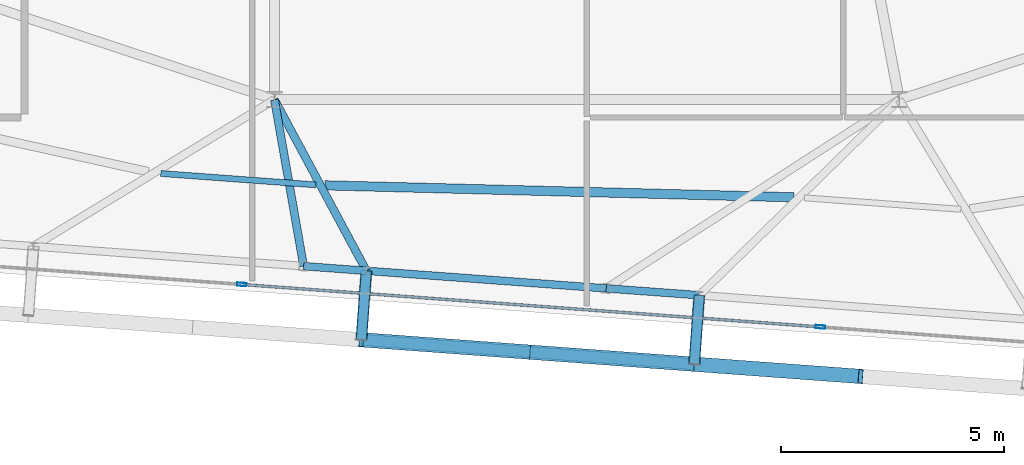
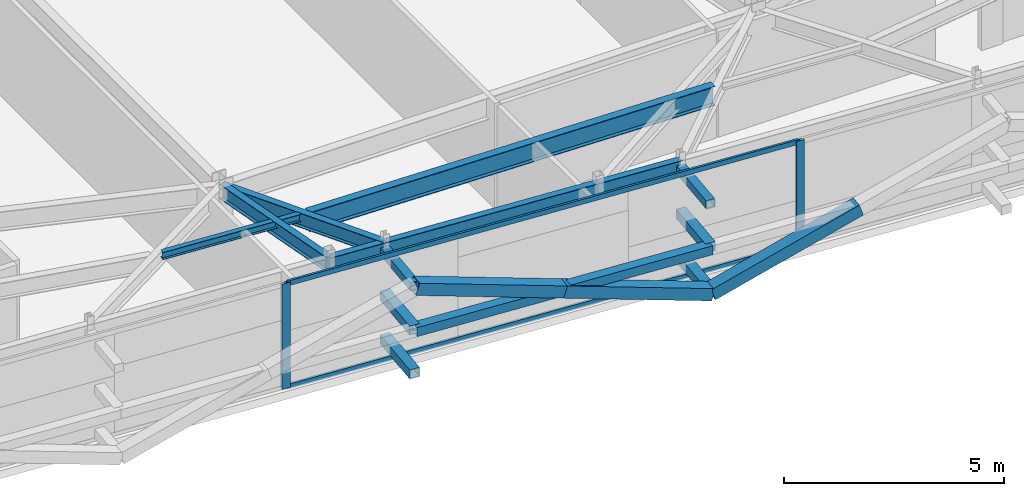
# One storey, part 11 of 34: 14 members, 7 beams, 1 element without a shape of its own.
"""IFC4 building model written with IfcOpenShell, lengths in metres."""

from ifc_helpers import new_model, si_unit, direction, frame, origin, origin_2d, place, context, subcontext, project, spatial, hollow_rectangle, i_section, extrude, source, transform, mapped, material, layer, layer_set, material_profile, profile_set, type_object, element, aggregate, save


model = new_model("IFC4")

# Units and contexts
model_context = context("Model", 3, precision=1e-05, world=origin(), true_north=direction((0.0, 1.0)))
body_context = subcontext(model_context, "Body", "Model", "MODEL_VIEW")
ifc_project = project(units=[si_unit("LENGTHUNIT", "METRE"), si_unit("AREAUNIT", "SQUARE_METRE"), si_unit("VOLUMEUNIT", "CUBIC_METRE"), si_unit("PLANEANGLEUNIT", "RADIAN"), si_unit("MASSUNIT", "GRAM", prefix="KILO")], contexts=[model_context])

# Site, building, storey
site_placement = place(None, origin())
site = spatial("IfcSite", under=ifc_project, at=site_placement, CompositionType="ELEMENT")
building_placement = place(site_placement, origin())
building = spatial("IfcBuilding", under=site, at=building_placement, Name="Taldren Reach Tower", CompositionType="ELEMENT")
storey_placement = place(building_placement, frame((0.0, 0.0, 246.050048828125)))
storey = spatial("IfcBuildingStorey", under=building, at=storey_placement, Name="L75", CompositionType="ELEMENT", Elevation=246.050048828125)

# Members
ifc_material_1 = material(Name="Steel Gr 350 (C350L0)", Category="steel")
ifc_material_profile_1 = material_profile(ifc_material_1, hollow_rectangle(XDim=0.25, YDim=0.25, WallThickness=0.010009765625, at=origin_2d()), Name="250x250x10.0SHS")
ifc_profile_set_1 = profile_set([ifc_material_profile_1], Name="Steel Gr 350 (C350L0)")
member_type_1 = type_object("IfcMemberType", Name="MB-POST250", PredefinedType="POST", material=ifc_profile_set_1)
shared_shape_1 = source(origin(), body_context, "Body", "SweptSolid", [
    extrude(hollow_rectangle(XDim=0.25, YDim=0.25, WallThickness=0.010009765625, at=origin_2d()), origin(), (0.0, 0.0, 1.0), 1.5498046875),
])
for number, where, z_axis, x_axis, name in (
    (1, (30.060546875, 5.364501953125, 0.219970703125), (-0.073250797913, -0.997313551801, 0.0), (0.997313551801, -0.073250797913, 0.0), "Exoskeleton base diaphragm tie strut B5-S3 L75"),
    (2, (30.060546875, 5.364501953125, 1.43505859375), (-0.073250797913, -0.997313551801, 0.0), (0.997313551801, -0.073250797913, 0.0), "Exoskeleton mid-tier diaphragm tie B5-S3 L75"),
):
    element("IfcMember", number, at=place(storey_placement, frame(where, z_axis=z_axis, x_axis=x_axis)), inside=storey, type_object=member_type_1, Name=name, PredefinedType="POST", context=body_context, shape_type="MappedRepresentation", body=[
        mapped(shared_shape_1, transform((0.0, 0.0, 0.0), scale=1.0)),
    ])
shared_shape_2 = source(origin(), body_context, "Body", "SweptSolid", [
    extrude(hollow_rectangle(XDim=0.25, YDim=0.25, WallThickness=0.010009765625, at=origin_2d()), origin(), (0.0, 0.0, 1.0), 1.550048828125),
])
for number, where, z_axis, x_axis, name in (
    (3, (37.5205078125, 4.81689453125, 0.219970703125), (-0.07323929162, -0.997314396849, 0.0), (0.997314396849, -0.07323929162, 0.0), "Exoskeleton base diaphragm tie strut B5-S4 L75"),
    (4, (37.5205078125, 4.81689453125, 1.43505859375), (-0.07323929162, -0.997314396849, 0.0), (0.997314396849, -0.07323929162, 0.0), "Exoskeleton mid-tier diaphragm tie B5-S4 L75"),
):
    element("IfcMember", number, at=place(storey_placement, frame(where, z_axis=z_axis, x_axis=x_axis)), inside=storey, type_object=member_type_1, Name=name, PredefinedType="POST", context=body_context, shape_type="MappedRepresentation", body=[
        mapped(shared_shape_2, transform((0.0, 0.0, 0.0), scale=1.0)),
    ])
ifc_material_2 = material(Name="Steel Gr 450 (C450L0)", Category="steel")
ifc_material_profile_2 = material_profile(ifc_material_2, hollow_rectangle(XDim=0.219970703125, YDim=0.219970703125, WallThickness=0.00830078125, at=origin_2d()), Name="220x220x8.2SHS")
ifc_profile_set_2 = profile_set([ifc_material_profile_2], Name="Steel Gr 450 (C450L0)")
member_type_2 = type_object("IfcMemberType", Name="MB-TIE219", PredefinedType="STRUT", material=ifc_profile_set_2)
shared_shape_3 = source(origin(), body_context, "Body", "SweptSolid", [
    extrude(hollow_rectangle(XDim=0.219970703125, YDim=0.219970703125, WallThickness=0.00830078125, at=origin_2d()), origin(), (0.0, 0.0, 1.0), 1.5498046875),
])
member_1_placement = place(storey_placement, frame((30.060546875, 5.364501953125, 2.64990234375), z_axis=(-0.073250797913, -0.997313551801, 0.0), x_axis=(0.997313551801, -0.073250797913, 0.0)))
element("IfcMember", 5, at=member_1_placement, inside=storey, type_object=member_type_2, Name="Exoskeleton diaphragm tie strut B5-S3 L75", PredefinedType="STRUT", context=body_context, shape_type="MappedRepresentation", body=[
    mapped(shared_shape_3, transform((0.0, 0.0, 0.0), scale=1.0)),
])
shared_shape_4 = source(origin(), body_context, "Body", "SweptSolid", [
    extrude(hollow_rectangle(XDim=0.219970703125, YDim=0.219970703125, WallThickness=0.00830078125, at=origin_2d()), origin(), (0.0, 0.0, 1.0), 1.550048828125),
])
member_2_placement = place(storey_placement, frame((37.5205078125, 4.81689453125, 2.64990234375), z_axis=(-0.07323929162, -0.997314396849, 0.0), x_axis=(0.997314396849, -0.07323929162, 0.0)))
element("IfcMember", 6, at=member_2_placement, inside=storey, type_object=member_type_2, Name="Exoskeleton diaphragm tie strut B5-S4 L75", PredefinedType="STRUT", context=body_context, shape_type="MappedRepresentation", body=[
    mapped(shared_shape_4, transform((0.0, 0.0, 0.0), scale=1.0)),
])

# Beams
ifc_material_3 = material(Name="Steel Gr 350 (350PLUS)", Category="steel")
ifc_material_profile_3 = material_profile(ifc_material_3, i_section(OverallWidth=0.172119140625, OverallDepth=0.35888671875, WebThickness=0.008056640625, FlangeThickness=0.012939453125, at=origin_2d()), Name="360UB56.7")
ifc_profile_set_3 = profile_set([ifc_material_profile_3], Name="Steel Gr 350 (350PLUS)")
beam_type_1 = type_object("IfcBeamType", Name="SP-UB360", PredefinedType="SPANDREL", material=ifc_profile_set_3)
shared_shape_5 = source(origin(), body_context, "Body", "SweptSolid", [
    extrude(i_section(OverallWidth=0.172119140625, OverallDepth=0.35888671875, WebThickness=0.008056640625, FlangeThickness=0.012939453125, at=origin_2d()), origin(), (0.0, 0.0, 1.0), 1.41015625),
])
beam_1_placement = place(storey_placement, frame((28.654296875, 5.4677734375, 2.75048828125), z_axis=(0.997314324946, -0.073240270738, 0.0), x_axis=(0.073240270738, 0.997314324946, 0.0)))
element("IfcBeam", 7, at=beam_1_placement, inside=storey, type_object=beam_type_1, Name="Perimeter spandrel B5 PJ1-S3 L75", PredefinedType="SPANDREL", context=body_context, shape_type="MappedRepresentation", body=[
    mapped(shared_shape_5, transform((0.0, 0.0, 0.0), scale=1.0)),
])
shared_shape_6 = source(origin(), body_context, "Body", "SweptSolid", [
    extrude(i_section(OverallWidth=0.172119140625, OverallDepth=0.35888671875, WebThickness=0.008056640625, FlangeThickness=0.012939453125, at=origin_2d()), origin(), (0.0, 0.0, 1.0), 5.389892578125),
])
beam_2_placement = place(storey_placement, frame((30.060546875, 5.364501953125, 2.75048828125), z_axis=(0.997314149177, -0.073242664148, 0.0), x_axis=(0.073242664148, 0.997314149177, 0.0)))
element("IfcBeam", 8, at=beam_2_placement, inside=storey, type_object=beam_type_1, Name="Perimeter spandrel B5 S3-PJ2 L75", PredefinedType="SPANDREL", context=body_context, shape_type="MappedRepresentation", body=[
    mapped(shared_shape_6, transform((0.0, 0.0, 0.0), scale=1.0)),
])
shared_shape_7 = source(origin(), body_context, "Body", "SweptSolid", [
    extrude(i_section(OverallWidth=0.172119140625, OverallDepth=0.35888671875, WebThickness=0.008056640625, FlangeThickness=0.012939453125, at=origin_2d()), origin(), (0.0, 0.0, 1.0), 2.090087890625),
])
beam_3_placement = place(storey_placement, frame((35.43603515625, 4.9697265625, 2.75048828125), z_axis=(0.997322930253, -0.073122997697, 0.0), x_axis=(0.073122997697, 0.997322930253, 0.0)))
element("IfcBeam", 9, at=beam_3_placement, inside=storey, type_object=beam_type_1, Name="Perimeter spandrel B5 PJ2-S4 L75", PredefinedType="SPANDREL", context=body_context, shape_type="MappedRepresentation", body=[
    mapped(shared_shape_7, transform((0.0, 0.0, 0.0), scale=1.0)),
])
ifc_material_profile_4 = material_profile(ifc_material_3, i_section(OverallWidth=0.177978515625, OverallDepth=0.406005859375, WebThickness=0.0078125, FlangeThickness=0.0126953125, at=origin_2d()), Name="410UB59.7")
ifc_profile_set_4 = profile_set([ifc_material_profile_4], Name="Steel Gr 350 (350PLUS)")
beam_type_2 = type_object("IfcBeamType", Name="BM-UB410", PredefinedType="BEAM", material=ifc_profile_set_4)
shared_shape_8 = source(origin(), body_context, "Body", "SweptSolid", [
    extrude(i_section(OverallWidth=0.177978515625, OverallDepth=0.406005859375, WebThickness=0.0078125, FlangeThickness=0.0126953125, at=origin_2d()), origin(), (0.0, 0.0, 1.0), 3.7890625),
])
beam_4_placement = place(storey_placement, frame((28.0, 9.199951171875, 2.72705078125), z_axis=(0.172678846321, -0.984978180486, 0.0), x_axis=(0.984978180486, 0.172678846321, 0.0)))
element("IfcBeam", 10, at=beam_4_placement, inside=storey, type_object=beam_type_2, Name="Primary floor girder B5-PJ1 L75", PredefinedType="BEAM", context=body_context, shape_type="MappedRepresentation", body=[
    mapped(shared_shape_8, transform((0.0, 0.0, 0.0), scale=1.0)),
])
shared_shape_9 = source(origin(), body_context, "Body", "SweptSolid", [
    extrude(i_section(OverallWidth=0.177978515625, OverallDepth=0.406005859375, WebThickness=0.0078125, FlangeThickness=0.0126953125, at=origin_2d()), origin(), (0.0, 0.0, 1.0), 4.35400390625),
])
beam_5_placement = place(storey_placement, frame((28.0, 9.199951171875, 2.72705078125), z_axis=(0.473263645364, -0.88092083752, 0.0), x_axis=(0.88092083752, 0.473263645364, 0.0)))
element("IfcBeam", 11, at=beam_5_placement, inside=storey, type_object=beam_type_2, Name="Primary floor girder B5-S3 L75", PredefinedType="BEAM", context=body_context, shape_type="MappedRepresentation", body=[
    mapped(shared_shape_9, transform((0.0, 0.0, 0.0), scale=1.0)),
])
ifc_material_4 = material(Name="Steel Gr 300 (300PLUS, 300 MPa)", Category="steel")
ifc_material_profile_5 = material_profile(ifc_material_4, i_section(OverallWidth=0.134033203125, OverallDepth=0.20703125, WebThickness=0.00634765625, FlangeThickness=0.009521484375, at=origin_2d()), Name="200UB29.8")
ifc_profile_set_5 = profile_set([ifc_material_profile_5], Name="Steel Gr 300 (300PLUS, 300 MPa)")
beam_type_3 = type_object("IfcBeamType", Name="JS-UB200", PredefinedType="JOIST", material=ifc_profile_set_5)
shared_shape_10 = source(origin(), body_context, "Body", "SweptSolid", [
    extrude(i_section(OverallWidth=0.134033203125, OverallDepth=0.20703125, WebThickness=0.00634765625, FlangeThickness=0.009521484375, at=origin_2d()), origin(), (0.0, 0.0, 1.0), 3.481201171875),
])
beam_6_placement = place(storey_placement, frame((25.453125, 7.544921875, 2.826416015625), z_axis=(0.997316141537, -0.073215529974, 0.0), x_axis=(0.073215529974, 0.997316141537, 0.0)))
element("IfcBeam", 12, at=beam_6_placement, inside=storey, type_object=beam_type_3, Name="Secondary floor joist B5 J2 L75", PredefinedType="JOIST", context=body_context, shape_type="MappedRepresentation", body=[
    mapped(shared_shape_10, transform((0.0, 0.0, 0.0), scale=1.0)),
])
ifc_material_profile_6 = material_profile(ifc_material_3, i_section(OverallWidth=0.208984375, OverallDepth=0.532958984375, WebThickness=0.01025390625, FlangeThickness=0.015625, at=origin_2d()), Name="530UB92.4")
ifc_profile_set_6 = profile_set([ifc_material_profile_6], Name="Steel Gr 350 (350PLUS)")
beam_type_4 = type_object("IfcBeamType", Name="BM-UB530A", PredefinedType="BEAM", material=ifc_profile_set_6)
shared_shape_11 = source(origin(), body_context, "Body", "SweptSolid", [
    extrude(i_section(OverallWidth=0.208984375, OverallDepth=0.532958984375, WebThickness=0.01025390625, FlangeThickness=0.015625, at=origin_2d()), origin(), (0.0, 0.0, 1.0), 10.507080078125),
])
beam_7_placement = place(storey_placement, frame((29.132568359375, 7.27978515625, 2.663330078125), z_axis=(0.999673899449, -0.025536146143, 0.0), x_axis=(0.025536146143, 0.999673899449, 0.0)))
element("IfcBeam", 13, at=beam_7_placement, inside=storey, type_object=beam_type_4, Name="Secondary floor beam B5 J3 L75", PredefinedType="BEAM", context=body_context, shape_type="MappedRepresentation", body=[
    mapped(shared_shape_11, transform((0.0, 0.0, 0.0), scale=1.0)),
])

# Members
ifc_material_profile_7 = material_profile(ifc_material_2, hollow_rectangle(XDim=0.324951171875, YDim=0.324951171875, WallThickness=0.0126953125, at=origin_2d()), Name="325x325x12.7SHS")
ifc_profile_set_7 = profile_set([ifc_material_profile_7], Name="Steel Gr 450 (C450L0)")
member_type_3 = type_object("IfcMemberType", Name="MB-BR324", PredefinedType="BRACE", material=ifc_profile_set_7)
shared_shape_12 = source(origin(), body_context, "Body", "SweptSolid", [
    extrude(hollow_rectangle(XDim=0.324951171875, YDim=0.324951171875, WallThickness=0.0126953125, at=origin_2d()), origin(), (0.0, 0.0, 1.0), 3.932373046875),
])
for number, where, z_axis, x_axis, name in (
    (14, (37.406982421875, 3.27099609375, 0.219970703125), (-0.948511132845, 0.069657644394, 0.308989390507), (-0.07324169103, -0.997314220642, 0.0), "Exoskeleton Diagrid Brace B5-S3 L75"),
    (15, (33.677001953125, 3.544921875, 1.43505859375), (-0.948529326954, 0.06965898055, 0.308933232813), (-0.07324169103, -0.997314220642, 0.0), "Exoskeleton Diagrid Brace B5-S3 L75"),
):
    element("IfcMember", number, at=place(storey_placement, frame(where, z_axis=z_axis, x_axis=x_axis)), inside=storey, type_object=member_type_3, Name=name, PredefinedType="BRACE", context=body_context, shape_type="MappedRepresentation", body=[
        mapped(shared_shape_12, transform((0.0, 0.0, 0.0), scale=1.0)),
    ])
shared_shape_13 = source(origin(), body_context, "Body", "SweptSolid", [
    extrude(hollow_rectangle(XDim=0.25, YDim=0.25, WallThickness=0.010009765625, at=origin_2d()), origin(), (0.0, 0.0, 1.0), 7.47998046875),
])
member_3_placement = place(storey_placement, frame((29.947021484375, 3.81884765625, 1.43505859375), z_axis=(0.997314220642, -0.07324169103, 0.0), x_axis=(0.07324169103, 0.997314220642, 0.0)))
element("IfcMember", 16, at=member_3_placement, inside=storey, type_object=member_type_1, Name="Exoskeleton mid-height ring chord B5-S3 L75", PredefinedType="POST", context=body_context, shape_type="MappedRepresentation", body=[
    mapped(shared_shape_13, transform((0.0, 0.0, 0.0), scale=1.0)),
])
shared_shape_14 = source(origin(), body_context, "Body", "SweptSolid", [
    extrude(hollow_rectangle(XDim=0.324951171875, YDim=0.324951171875, WallThickness=0.0126953125, at=origin_2d()), origin(), (0.0, 0.0, 1.0), 3.93212890625),
])
member_4_placement = place(storey_placement, frame((37.406982421875, 3.27099609375, 0.219970703125), z_axis=(0.94850490367, -0.069661746542, 0.309007586933), x_axis=(0.073246459555, 0.997313870435, 0.0)))
element("IfcMember", 17, at=member_4_placement, inside=storey, type_object=member_type_3, Name="Exoskeleton Diagrid Brace B5-S4 L75", PredefinedType="BRACE", context=body_context, shape_type="MappedRepresentation", body=[
    mapped(shared_shape_14, transform((0.0, 0.0, 0.0), scale=1.0)),
])

# Curtain wall, members
ifc_material_5 = material(Name="Aluminium and Low-E Glass Unitised System", Category="aluminium")
ifc_layer = layer(ifc_material_5, 0.159912109375)
ifc_layer_set = layer_set([ifc_layer], Name="Aluminium and Low-E Glass Unitised System")
curtain_wall_type = type_object("IfcCurtainWallType", Name="CW-SYS-6", PredefinedType="NOTDEFINED", material=ifc_layer_set)
curtain_wall_placement = place(storey_placement, origin())
curtain_wall = element("IfcCurtainWall", 18, at=curtain_wall_placement, inside=storey, type_object=curtain_wall_type, Name="Unitised curtain wall CW-L75-S", PredefinedType="NOTDEFINED")
ifc_material_6 = material(Name="Anodised Aluminium 6063-T6", Category="aluminium")
ifc_material_profile_8 = material_profile(ifc_material_6, hollow_rectangle(XDim=0.06005859375, YDim=0.135009765625, WallThickness=0.00341796875, at=origin_2d()), Name="ALU-135x60x3.5RHS")
ifc_profile_set_8 = profile_set([ifc_material_profile_8], Name="Anodised Aluminium 6063-T6")
member_type_4 = type_object("IfcMemberType", Name="CW-TRN-150", PredefinedType="USERDEFINED", material=ifc_profile_set_8)
shared_shape_15 = source(origin(), body_context, "Body", "SweptSolid", [
    extrude(hollow_rectangle(XDim=0.06005859375, YDim=0.135009765625, WallThickness=0.00341796875, at=origin_2d()), origin(), (0.0, 0.0, 1.0), 12.925048828125),
])
member_5_placement = place(storey_placement, frame((27.307861328125, 5.055419921875, 0.030029296875), z_axis=(0.99731353371, -0.073251044219, 0.0), x_axis=(0.073251044219, 0.99731353371, 0.0)))
member_5 = element("IfcMember", 19, at=member_5_placement, type_object=member_type_4, Name="CW-6 transom 2.1", ObjectType="TRANSOM", PredefinedType="USERDEFINED", context=body_context, shape_type="MappedRepresentation", body=[
    mapped(shared_shape_15, transform((0.0, 0.0, 0.0), scale=1.0)),
])
member_6_placement = place(storey_placement, frame((27.307861328125, 5.055419921875, 2.89990234375), z_axis=(0.99731353371, -0.073251044219, 0.0), x_axis=(0.073251044219, 0.99731353371, 0.0)))
member_6 = element("IfcMember", 20, at=member_6_placement, type_object=member_type_4, Name="CW-6 transom 2.2", ObjectType="TRANSOM", PredefinedType="USERDEFINED", context=body_context, shape_type="MappedRepresentation", body=[
    mapped(shared_shape_15, transform((0.0, 0.0, 0.0), scale=1.0)),
])
ifc_material_profile_9 = material_profile(ifc_material_6, hollow_rectangle(XDim=0.074951171875, YDim=0.2099609375, WallThickness=0.00439453125, at=origin_2d()), Name="ALU-210x75x4.5RHS")
ifc_profile_set_9 = profile_set([ifc_material_profile_9], Name="Anodised Aluminium 6063-T6")
member_type_5 = type_object("IfcMemberType", Name="CW-MUL-200", PredefinedType="MULLION", material=ifc_profile_set_9)
shared_shape_16 = source(origin(), body_context, "Body", "SweptSolid", [
    extrude(hollow_rectangle(XDim=0.074951171875, YDim=0.2099609375, WallThickness=0.00439453125, at=origin_2d()), origin(), (0.0, 0.0, 1.0), 2.929931640625),
])
member_7_placement = place(storey_placement, frame((27.2705078125, 5.05810546875, 0.0), z_axis=(0.0, 0.0, 1.0), x_axis=(0.073238213716, 0.997314476006, 0.0)))
member_7 = element("IfcMember", 21, at=member_7_placement, type_object=member_type_5, Name="CW-6 mullion 2", PredefinedType="MULLION", context=body_context, shape_type="MappedRepresentation", body=[
    mapped(shared_shape_16, transform((0.0, 0.0, 0.0), scale=1.0)),
])
member_8_placement = place(storey_placement, frame((40.235595703125, 4.10595703125, 0.0), z_axis=(0.0, 0.0, 1.0), x_axis=(0.073238213716, 0.997314476006, 0.0)))
member_8 = element("IfcMember", 22, at=member_8_placement, type_object=member_type_5, Name="CW-6 mullion 3", PredefinedType="MULLION", context=body_context, shape_type="MappedRepresentation", body=[
    mapped(shared_shape_16, transform((0.0, 0.0, 0.0), scale=1.0)),
])
aggregate(curtain_wall, [member_7, member_8, member_5, member_6])

save(model, "model.ifc")
